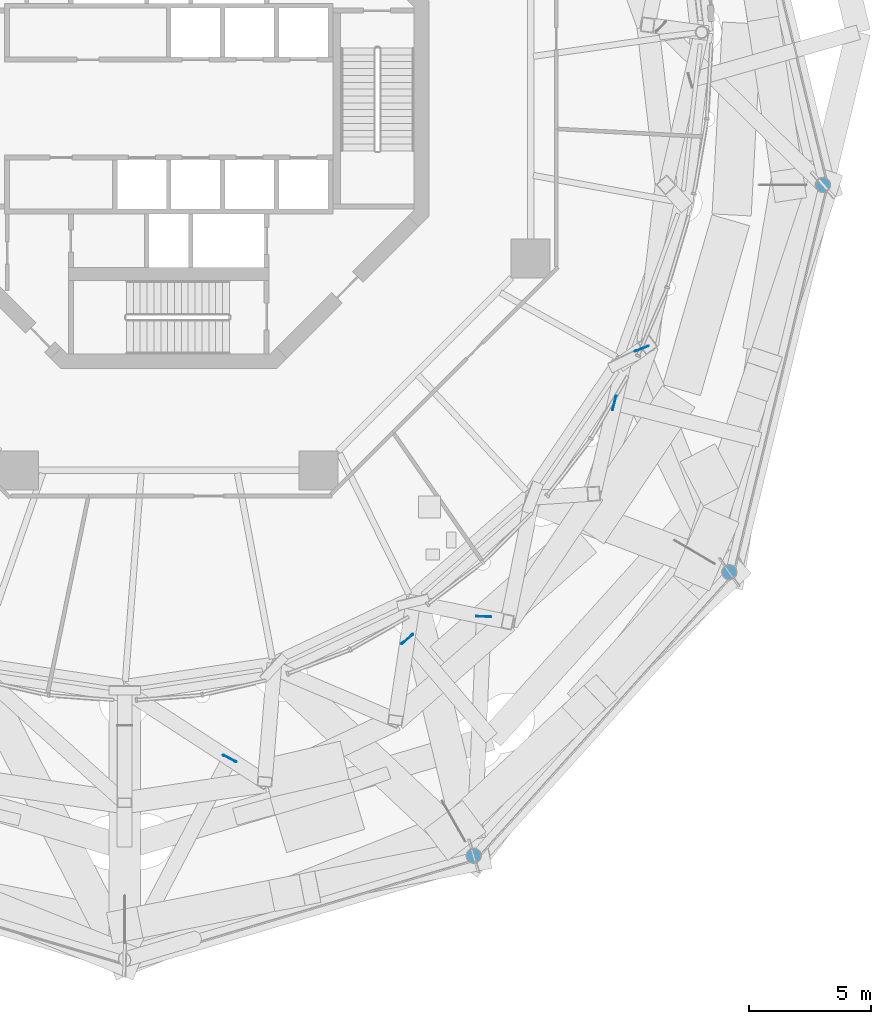
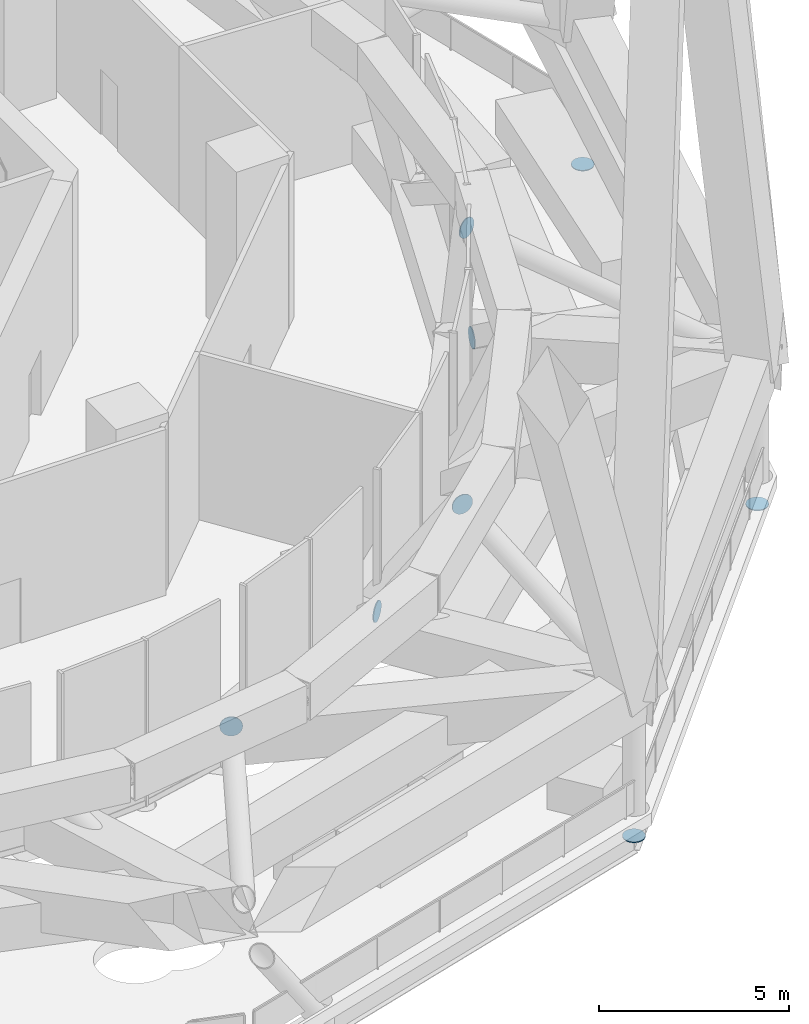
# One storey, part 44 of 48: 8 discrete accessories.
"""IFC4 building model written with IfcOpenShell, lengths in metres."""

import ifcopenshell
import ifcopenshell.guid

model = None  # the IFC model being written
_history = None  # IfcOwnerHistory: only IFC2X3 demands one
_inside = {}  # id of a spatial element -> (the spatial element, [elements in it])
_under = {}  # id of a project, library or spatial element -> (it, [spatial elements below it])
_declared = {}  # id of a project -> (the project, [libraries it declares])
_typed = {}  # id of a type object -> (the type object, [elements of that type])
_made_of = {}  # id of a material, layer set ... -> (it, [elements and type objects made of it])


def new_model(schema):
    """Start an empty IFC model of exactly this schema.

    Asked for "IFC4X3", IfcOpenShell would pick the latest addendum, in which some entities
    have other attributes; the version numbers below select the first issue.
    IFC2X3 requires an IfcOwnerHistory on every rooted entity: one is made here for all.
    """
    global model, _history
    if schema == "IFC4X3":
        model = ifcopenshell.file(schema_version=(4, 3, 0, 0))
    else:
        model = ifcopenshell.file(schema=schema)
    _inside.clear()
    _under.clear()
    _declared.clear()
    _typed.clear()
    _made_of.clear()
    _history = None
    if model.schema == "IFC2X3":
        org = make("IfcOrganization", Name="unknown")
        user = make(
            "IfcPersonAndOrganization",
            ThePerson=make("IfcPerson", FamilyName="unknown"),
            TheOrganization=org,
        )
        app = make(
            "IfcApplication",
            ApplicationDeveloper=org,
            Version="unknown",
            ApplicationFullName="unknown",
            ApplicationIdentifier="unknown",
        )
        _history = make(
            "IfcOwnerHistory",
            OwningUser=user,
            OwningApplication=app,
            ChangeAction="ADDED",
            CreationDate=0,
        )
    return model


def make(cls, **values):
    """One entity of the class cls with the attributes given. An attribute that is None is left unset."""
    return model.create_entity(
        cls, **{name: value for name, value in values.items() if value is not None}
    )


def rooted(cls, **values):
    """An entity with a GlobalId (a new one), such as an element, a storey or a relation."""
    return make(cls, GlobalId=ifcopenshell.guid.new(), OwnerHistory=_history, **values)


def si_unit(unit_type, name, prefix=None):
    """IfcSIUnit, for example si_unit("LENGTHUNIT", "METRE", prefix="MILLI")."""
    return make("IfcSIUnit", UnitType=unit_type, Prefix=prefix, Name=name)


def assignment(units):
    """IfcUnitAssignment: the units of a project."""
    return None if units is None else make("IfcUnitAssignment", Units=units)


def point(xyz):
    """IfcCartesianPoint."""
    return None if xyz is None else make("IfcCartesianPoint", Coordinates=xyz)


def direction(xyz):
    """IfcDirection."""
    return None if xyz is None else make("IfcDirection", DirectionRatios=xyz)


def frame(location, z_axis=None, x_axis=None):
    """IfcAxis2Placement3D, a coordinate frame: its origin and axes. An axis left out is left unset."""
    return make(
        "IfcAxis2Placement3D",
        Location=point(location),
        Axis=direction(z_axis),
        RefDirection=direction(x_axis),
    )


def frame_2d(location, x_axis=None):
    """IfcAxis2Placement2D, a coordinate frame in the plane: its origin and x axis."""
    return make(
        "IfcAxis2Placement2D", Location=point(location), RefDirection=direction(x_axis)
    )


def origin():
    """The frame at (0, 0, 0) with its axes left unset."""
    return frame((0.0, 0.0, 0.0))


def origin_2d():
    """The frame at (0, 0) in the plane with its x axis left unset."""
    return frame_2d((0.0, 0.0))


def place(relative_to, where):
    """IfcLocalPlacement: puts the frame where relative to a parent placement (None: the world)."""
    return make(
        "IfcLocalPlacement", PlacementRelTo=relative_to, RelativePlacement=where
    )


def context(
    kind, dimensions, precision=None, world=None, true_north=None, identifier=None
):
    """IfcGeometricRepresentationContext, for example the 3D "Model" context."""
    return make(
        "IfcGeometricRepresentationContext",
        ContextIdentifier=identifier,
        ContextType=kind,
        CoordinateSpaceDimension=dimensions,
        Precision=precision,
        WorldCoordinateSystem=world,
        TrueNorth=true_north,
    )


def subcontext(parent, identifier, kind, view, scale=None):
    """IfcGeometricRepresentationSubContext, for example "Body" below "Model"."""
    return make(
        "IfcGeometricRepresentationSubContext",
        ContextIdentifier=identifier,
        ContextType=kind,
        ParentContext=parent,
        TargetScale=scale,
        TargetView=view,
    )


def project(units=None, contexts=None):
    """IfcProject with its units and contexts."""
    return rooted(
        "IfcProject",
        Name="project",
        RepresentationContexts=contexts,
        UnitsInContext=assignment(units),
    )


def spatial(cls, under=None, at=None, **own):
    """A site, building, storey or space (cls), placed at a placement, below another one or the project."""
    s = rooted(cls, ObjectPlacement=at, **own)
    if under is not None:
        _under.setdefault(under.id(), (under, []))[1].append(s)
    return s


def profile(cls, at=None, kind="AREA", **sizes):
    """A parametric profile (cls). Its sizes go by their IFC names, for example OverallWidth=200.0."""
    return make(cls, ProfileType=kind, Position=at, **sizes)


def circle(**sizes):
    """IfcCircleProfileDef."""
    return profile("IfcCircleProfileDef", **sizes)


def extrude(swept, where, along, depth):
    """IfcExtrudedAreaSolid: the profile swept, set in the frame where, extruded along a direction by depth."""
    return make(
        "IfcExtrudedAreaSolid",
        SweptArea=swept,
        Position=where,
        ExtrudedDirection=direction(along),
        Depth=depth,
    )


def shape(context_of_items, identifier, shape_type, items):
    """IfcShapeRepresentation: the items that make up one representation, for example the "Body"."""
    return make(
        "IfcShapeRepresentation",
        ContextOfItems=context_of_items,
        RepresentationIdentifier=identifier,
        RepresentationType=shape_type,
        Items=items,
    )


def material(Name=None, Category=None):
    """IfcMaterial."""
    return make("IfcMaterial", Name=Name, Category=Category)


def layer(
    of_material, thickness, ventilated=None, Name=None, Category=None, Priority=None
):
    """IfcMaterialLayer: one layer of a wall or slab, of a material (None: an air gap)."""
    return make(
        "IfcMaterialLayer",
        Material=of_material,
        LayerThickness=thickness,
        IsVentilated=ventilated,
        Name=Name,
        Category=Category,
        Priority=Priority,
    )


def layer_set(layers, Name=None):
    """IfcMaterialLayerSet."""
    return make("IfcMaterialLayerSet", MaterialLayers=layers, LayerSetName=Name)


def made_of(thing, what):
    """Note that an element or type object is made of a material, layer set ...; save() writes the relation."""
    if what is not None:
        _made_of.setdefault(what.id(), (what, []))[1].append(thing)
    return thing


def type_object(cls, material=None, **own):
    """A type object (cls), such as IfcWallType, which elements share."""
    return made_of(rooted(cls, **own), material)


def element(
    cls,
    number,
    at=None,
    inside=None,
    cuts=None,
    type_object=None,
    material=None,
    context=None,
    identifier="Body",
    shape_type=None,
    held_by="IfcProductDefinitionShape",
    body=None,
    shapes=None,
    **own,
):
    """One element of the class cls, such as IfcWall. Its Tag is "e" and its number.

    at: its placement. inside: the storey or other place that contains it. cuts: it is an
    opening in that element (IfcRelVoidsElement). A single representation is given by context,
    identifier, shape_type and body (its items); several are given by shapes. held_by: the class
    of the entity that holds the representations. save() writes the other relations.
    """
    e = rooted(cls, Tag="e%d" % number, ObjectPlacement=at, **own)
    if body is not None:
        shapes = [shape(context, identifier, shape_type, body)]
    if shapes is not None:
        e.Representation = make(held_by, Representations=shapes)
    if inside is not None:
        _inside.setdefault(inside.id(), (inside, []))[1].append(e)
    if cuts is not None:
        rooted(
            "IfcRelVoidsElement", RelatingBuildingElement=cuts, RelatedOpeningElement=e
        )
    if type_object is not None:
        _typed.setdefault(type_object.id(), (type_object, []))[1].append(e)
    return made_of(e, material)


def aggregate(whole, parts):
    """IfcRelAggregates: a whole, such as a stair, and the parts it consists of."""
    return rooted("IfcRelAggregates", RelatingObject=whole, RelatedObjects=parts)


def save(model, path):
    """Write the relations noted so far, then the file.

    IfcRelAggregates (storeys below a building ...), IfcRelContainedInSpatialStructure (elements
    in a storey), IfcRelDefinesByType, IfcRelAssociatesMaterial and IfcRelDeclares: one each for
    every whole, place, type object, material and project.
    """
    for whole, parts in _under.values():
        aggregate(whole, parts)
    for where, things in _inside.values():
        rooted(
            "IfcRelContainedInSpatialStructure",
            RelatedElements=things,
            RelatingStructure=where,
        )
    for kind, things in _typed.values():
        rooted("IfcRelDefinesByType", RelatedObjects=things, RelatingType=kind)
    for what, things in _made_of.values():
        rooted("IfcRelAssociatesMaterial", RelatedObjects=things, RelatingMaterial=what)
    for by, libraries in _declared.values():
        rooted("IfcRelDeclares", RelatingContext=by, RelatedDefinitions=libraries)
    model.write(path)


model = new_model("IFC4")

# Units and contexts
model_context = context("Model", 3, precision=1e-05, world=origin(), true_north=direction((0.0, 1.0)))
body_context = subcontext(model_context, "Body", "Model", "MODEL_VIEW")
ifc_project = project(units=[si_unit("LENGTHUNIT", "METRE"), si_unit("AREAUNIT", "SQUARE_METRE"), si_unit("VOLUMEUNIT", "CUBIC_METRE"), si_unit("PLANEANGLEUNIT", "RADIAN"), si_unit("MASSUNIT", "GRAM", prefix="KILO")], contexts=[model_context])

# Site, building, storey
site_placement = place(None, origin())
site = spatial("IfcSite", under=ifc_project, at=site_placement, CompositionType="ELEMENT")
building_placement = place(site_placement, origin())
building = spatial("IfcBuilding", under=site, at=building_placement, Name="Nagisa Residences", CompositionType="ELEMENT")
storey_placement = place(building_placement, frame((0.0, 0.0, 252.89990234375)))
storey = spatial("IfcBuildingStorey", under=building, at=storey_placement, Name="L64", CompositionType="ELEMENT", Elevation=252.89990234375)

# Discrete accessories
ifc_material_1 = material(Name="Steel ASTM A572 Gr 50", Category="steel")
ifc_layer_1 = layer(ifc_material_1, 0.030029296875)
ifc_layer_set_1 = layer_set([ifc_layer_1], Name="End plate")
discrete_accessory_type_1 = type_object("IfcDiscreteAccessoryType", Name="End plate", PredefinedType="ANCHORPLATE", material=ifc_layer_set_1)
for number, where, z_axis, x_axis, name in (
    (1, (26.719970703125, -3.11767578125, -0.889892578125), (0.0, 0.0, -1.0), (1.0, 0.0, 0.0), "End plate DH501"),
    (2, (12.4599609375, -30.518798828125, -0.889892578125), (0.0, 0.0, -1.0), (1.0, 0.0, 0.0), "End plate DH508"),
    (3, (22.89892578125, -18.937744140625, -0.889892578125), (0.0, 0.0, -1.0), (1.0, 0.0, 0.0), "End plate DH509"),
):
    element("IfcDiscreteAccessory", number, at=place(storey_placement, frame(where, z_axis=z_axis, x_axis=x_axis)), inside=storey, type_object=discrete_accessory_type_1, Name=name, PredefinedType="ANCHORPLATE", context=body_context, shape_type="SweptSolid", body=[
        extrude(circle(Radius=0.304931640625, at=origin_2d()), origin(), (0.0, 0.0, 1.0), 0.030029296875),
    ])
ifc_material_2 = material(Name="Steel ASTM A572 Gr 50", Category="steel")
ifc_layer_2 = layer(ifc_material_2, 0.030029296875)
ifc_layer_set_2 = layer_set([ifc_layer_2], Name="Node plate")
discrete_accessory_type_2 = type_object("IfcDiscreteAccessoryType", Name="Node plate", PredefinedType="ANCHORPLATE", material=ifc_layer_set_2)
discrete_accessory_1_placement = place(storey_placement, frame((9.75732421875, -21.678955078125, 1.900146484375), z_axis=(-0.647410505521, 0.762141481183, 0.0), x_axis=(-0.762141481183, -0.647410505521, 0.0)))
element("IfcDiscreteAccessory", 4, at=discrete_accessory_1_placement, inside=storey, type_object=discrete_accessory_type_2, Name="Node plate ST5A11", PredefinedType="ANCHORPLATE", context=body_context, shape_type="SweptSolid", body=[
    extrude(circle(Radius=0.304931640625, at=origin_2d()), origin(), (0.0, 0.0, 1.0), 0.02978515625),
])
discrete_accessory_2_placement = place(storey_placement, frame((18.218017578125, -12.026123046875, 1.900146484375), z_axis=(-0.970142500145, 0.242535625036, 0.0), x_axis=(-0.242535625036, -0.970142500145, 0.0)))
element("IfcDiscreteAccessory", 5, at=discrete_accessory_2_placement, inside=storey, type_object=discrete_accessory_type_2, Name="Node plate ST5A12", PredefinedType="ANCHORPLATE", context=body_context, shape_type="SweptSolid", body=[
    extrude(circle(Radius=0.304931640625, at=origin_2d()), origin(), (0.0, 0.0, 1.0), 0.0302734375),
])
for number, where, z_axis, x_axis, name in (
    (6, (2.48681640625, -26.561767578125, 3.7001953125), (0.463399319464, 0.886149575817, 0.0), (-0.886149575817, 0.463399319464, 0.0), "Node plate ST6B10"),
    (7, (12.87255859375, -20.765380859375, 3.7001953125), (0.040616861577, 0.999174794796, 0.0), (-0.999174794796, 0.040616861577, 0.0), "Node plate ST6B11"),
    (8, (19.32666015625, -9.8203125, 3.7001953125), (-0.367166534736, 0.930155221331, 0.0), (-0.930155221331, -0.367166534736, 0.0), "Node plate ST6B12"),
):
    element("IfcDiscreteAccessory", number, at=place(storey_placement, frame(where, z_axis=z_axis, x_axis=x_axis)), inside=storey, type_object=discrete_accessory_type_2, Name=name, PredefinedType="ANCHORPLATE", context=body_context, shape_type="SweptSolid", body=[
        extrude(circle(Radius=0.304931640625, at=origin_2d()), origin(), (0.0, 0.0, 1.0), 0.030029296875),
    ])

save(model, "model.ifc")
